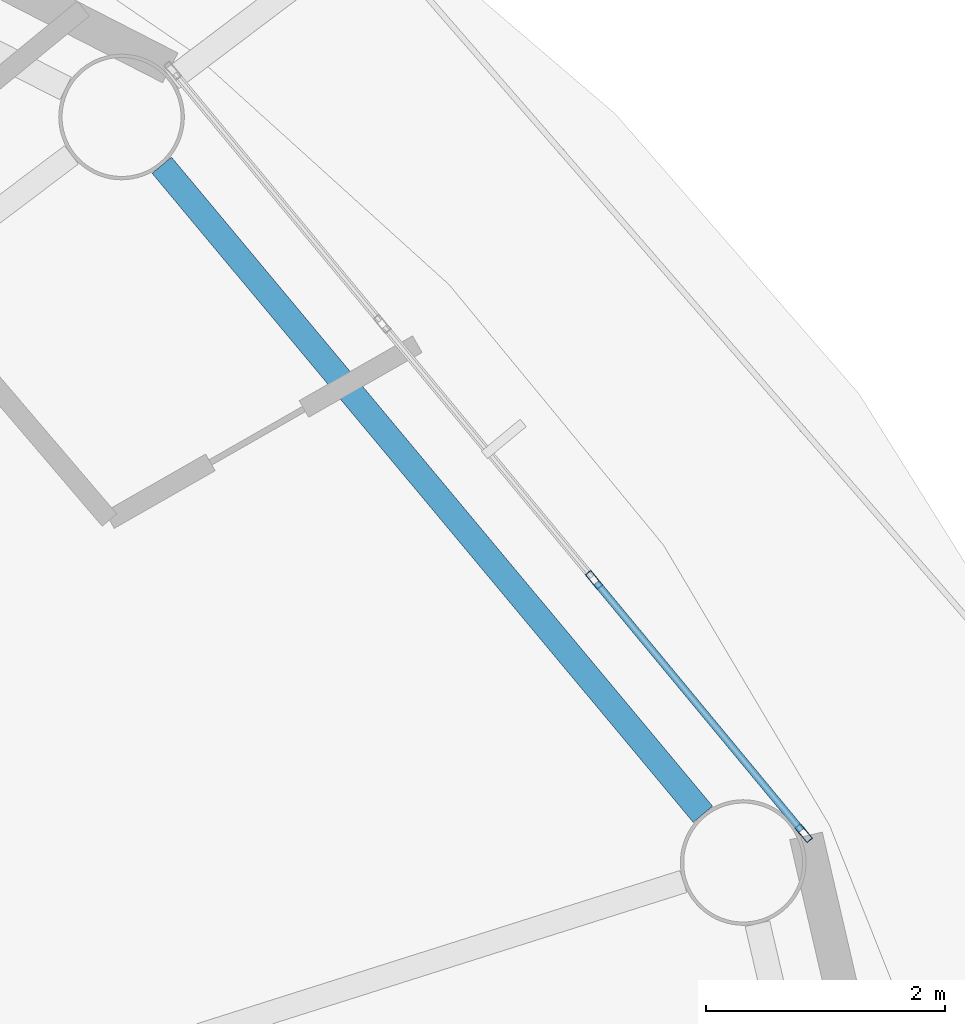
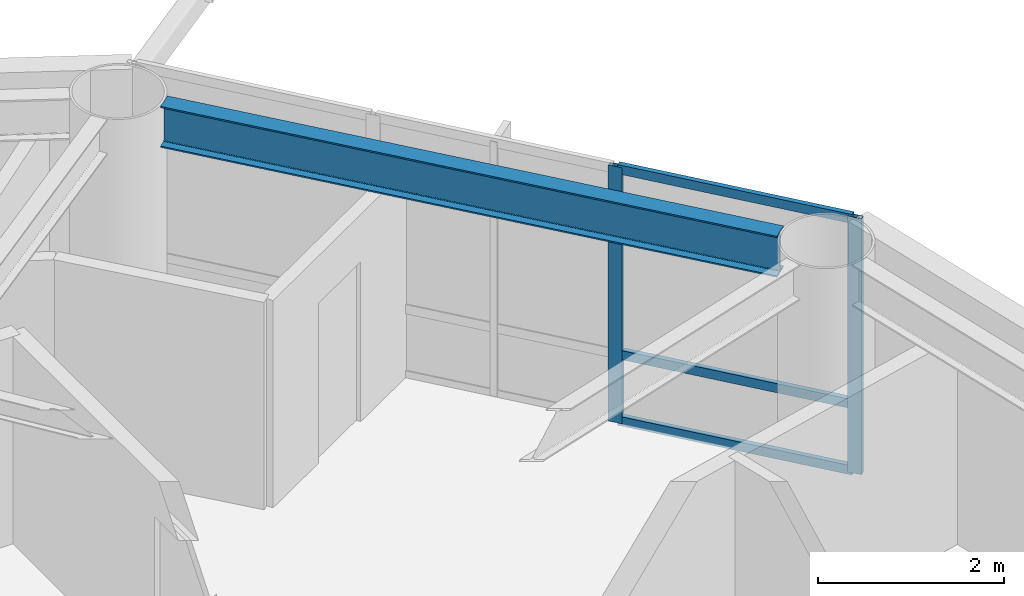
# One storey, part 7 of 23: 5 members, 1 beam, 1 element without a shape of its own.
"""IFC4 building model written with IfcOpenShell, lengths in metres."""

import ifcopenshell
import ifcopenshell.guid

model = None  # the IFC model being written
_history = None  # IfcOwnerHistory: only IFC2X3 demands one
_inside = {}  # id of a spatial element -> (the spatial element, [elements in it])
_under = {}  # id of a project, library or spatial element -> (it, [spatial elements below it])
_declared = {}  # id of a project -> (the project, [libraries it declares])
_typed = {}  # id of a type object -> (the type object, [elements of that type])
_made_of = {}  # id of a material, layer set ... -> (it, [elements and type objects made of it])


def new_model(schema):
    """Start an empty IFC model of exactly this schema.

    Asked for "IFC4X3", IfcOpenShell would pick the latest addendum, in which some entities
    have other attributes; the version numbers below select the first issue.
    IFC2X3 requires an IfcOwnerHistory on every rooted entity: one is made here for all.
    """
    global model, _history
    if schema == "IFC4X3":
        model = ifcopenshell.file(schema_version=(4, 3, 0, 0))
    else:
        model = ifcopenshell.file(schema=schema)
    _inside.clear()
    _under.clear()
    _declared.clear()
    _typed.clear()
    _made_of.clear()
    _history = None
    if model.schema == "IFC2X3":
        org = make("IfcOrganization", Name="unknown")
        user = make(
            "IfcPersonAndOrganization",
            ThePerson=make("IfcPerson", FamilyName="unknown"),
            TheOrganization=org,
        )
        app = make(
            "IfcApplication",
            ApplicationDeveloper=org,
            Version="unknown",
            ApplicationFullName="unknown",
            ApplicationIdentifier="unknown",
        )
        _history = make(
            "IfcOwnerHistory",
            OwningUser=user,
            OwningApplication=app,
            ChangeAction="ADDED",
            CreationDate=0,
        )
    return model


def make(cls, **values):
    """One entity of the class cls with the attributes given. An attribute that is None is left unset."""
    return model.create_entity(
        cls, **{name: value for name, value in values.items() if value is not None}
    )


def rooted(cls, **values):
    """An entity with a GlobalId (a new one), such as an element, a storey or a relation."""
    return make(cls, GlobalId=ifcopenshell.guid.new(), OwnerHistory=_history, **values)


def si_unit(unit_type, name, prefix=None):
    """IfcSIUnit, for example si_unit("LENGTHUNIT", "METRE", prefix="MILLI")."""
    return make("IfcSIUnit", UnitType=unit_type, Prefix=prefix, Name=name)


def assignment(units):
    """IfcUnitAssignment: the units of a project."""
    return None if units is None else make("IfcUnitAssignment", Units=units)


def point(xyz):
    """IfcCartesianPoint."""
    return None if xyz is None else make("IfcCartesianPoint", Coordinates=xyz)


def direction(xyz):
    """IfcDirection."""
    return None if xyz is None else make("IfcDirection", DirectionRatios=xyz)


def frame(location, z_axis=None, x_axis=None):
    """IfcAxis2Placement3D, a coordinate frame: its origin and axes. An axis left out is left unset."""
    return make(
        "IfcAxis2Placement3D",
        Location=point(location),
        Axis=direction(z_axis),
        RefDirection=direction(x_axis),
    )


def frame_2d(location, x_axis=None):
    """IfcAxis2Placement2D, a coordinate frame in the plane: its origin and x axis."""
    return make(
        "IfcAxis2Placement2D", Location=point(location), RefDirection=direction(x_axis)
    )


def origin():
    """The frame at (0, 0, 0) with its axes left unset."""
    return frame((0.0, 0.0, 0.0))


def origin_2d():
    """The frame at (0, 0) in the plane with its x axis left unset."""
    return frame_2d((0.0, 0.0))


def place(relative_to, where):
    """IfcLocalPlacement: puts the frame where relative to a parent placement (None: the world)."""
    return make(
        "IfcLocalPlacement", PlacementRelTo=relative_to, RelativePlacement=where
    )


def context(
    kind, dimensions, precision=None, world=None, true_north=None, identifier=None
):
    """IfcGeometricRepresentationContext, for example the 3D "Model" context."""
    return make(
        "IfcGeometricRepresentationContext",
        ContextIdentifier=identifier,
        ContextType=kind,
        CoordinateSpaceDimension=dimensions,
        Precision=precision,
        WorldCoordinateSystem=world,
        TrueNorth=true_north,
    )


def subcontext(parent, identifier, kind, view, scale=None):
    """IfcGeometricRepresentationSubContext, for example "Body" below "Model"."""
    return make(
        "IfcGeometricRepresentationSubContext",
        ContextIdentifier=identifier,
        ContextType=kind,
        ParentContext=parent,
        TargetScale=scale,
        TargetView=view,
    )


def project(units=None, contexts=None):
    """IfcProject with its units and contexts."""
    return rooted(
        "IfcProject",
        Name="project",
        RepresentationContexts=contexts,
        UnitsInContext=assignment(units),
    )


def spatial(cls, under=None, at=None, **own):
    """A site, building, storey or space (cls), placed at a placement, below another one or the project."""
    s = rooted(cls, ObjectPlacement=at, **own)
    if under is not None:
        _under.setdefault(under.id(), (under, []))[1].append(s)
    return s


def profile(cls, at=None, kind="AREA", **sizes):
    """A parametric profile (cls). Its sizes go by their IFC names, for example OverallWidth=200.0."""
    return make(cls, ProfileType=kind, Position=at, **sizes)


def hollow_rectangle(**sizes):
    """IfcRectangleHollowProfileDef."""
    return profile("IfcRectangleHollowProfileDef", **sizes)


def i_section(**sizes):
    """IfcIShapeProfileDef."""
    return profile("IfcIShapeProfileDef", **sizes)


def extrude(swept, where, along, depth):
    """IfcExtrudedAreaSolid: the profile swept, set in the frame where, extruded along a direction by depth."""
    return make(
        "IfcExtrudedAreaSolid",
        SweptArea=swept,
        Position=where,
        ExtrudedDirection=direction(along),
        Depth=depth,
    )


def shape(context_of_items, identifier, shape_type, items):
    """IfcShapeRepresentation: the items that make up one representation, for example the "Body"."""
    return make(
        "IfcShapeRepresentation",
        ContextOfItems=context_of_items,
        RepresentationIdentifier=identifier,
        RepresentationType=shape_type,
        Items=items,
    )


def material(Name=None, Category=None):
    """IfcMaterial."""
    return make("IfcMaterial", Name=Name, Category=Category)


def layer(
    of_material, thickness, ventilated=None, Name=None, Category=None, Priority=None
):
    """IfcMaterialLayer: one layer of a wall or slab, of a material (None: an air gap)."""
    return make(
        "IfcMaterialLayer",
        Material=of_material,
        LayerThickness=thickness,
        IsVentilated=ventilated,
        Name=Name,
        Category=Category,
        Priority=Priority,
    )


def layer_set(layers, Name=None):
    """IfcMaterialLayerSet."""
    return make("IfcMaterialLayerSet", MaterialLayers=layers, LayerSetName=Name)


def material_profile(
    of_material, cross_section, Name=None, Category=None, Priority=None
):
    """IfcMaterialProfile: a cross section and its material."""
    return make(
        "IfcMaterialProfile",
        Name=Name,
        Material=of_material,
        Profile=cross_section,
        Priority=Priority,
        Category=Category,
    )


def profile_set(profiles, Name=None, composite=None):
    """IfcMaterialProfileSet."""
    return make(
        "IfcMaterialProfileSet",
        Name=Name,
        MaterialProfiles=profiles,
        CompositeProfile=composite,
    )


def made_of(thing, what):
    """Note that an element or type object is made of a material, layer set ...; save() writes the relation."""
    if what is not None:
        _made_of.setdefault(what.id(), (what, []))[1].append(thing)
    return thing


def type_object(cls, material=None, **own):
    """A type object (cls), such as IfcWallType, which elements share."""
    return made_of(rooted(cls, **own), material)


def element(
    cls,
    number,
    at=None,
    inside=None,
    cuts=None,
    type_object=None,
    material=None,
    context=None,
    identifier="Body",
    shape_type=None,
    held_by="IfcProductDefinitionShape",
    body=None,
    shapes=None,
    **own,
):
    """One element of the class cls, such as IfcWall. Its Tag is "e" and its number.

    at: its placement. inside: the storey or other place that contains it. cuts: it is an
    opening in that element (IfcRelVoidsElement). A single representation is given by context,
    identifier, shape_type and body (its items); several are given by shapes. held_by: the class
    of the entity that holds the representations. save() writes the other relations.
    """
    e = rooted(cls, Tag="e%d" % number, ObjectPlacement=at, **own)
    if body is not None:
        shapes = [shape(context, identifier, shape_type, body)]
    if shapes is not None:
        e.Representation = make(held_by, Representations=shapes)
    if inside is not None:
        _inside.setdefault(inside.id(), (inside, []))[1].append(e)
    if cuts is not None:
        rooted(
            "IfcRelVoidsElement", RelatingBuildingElement=cuts, RelatedOpeningElement=e
        )
    if type_object is not None:
        _typed.setdefault(type_object.id(), (type_object, []))[1].append(e)
    return made_of(e, material)


def aggregate(whole, parts):
    """IfcRelAggregates: a whole, such as a stair, and the parts it consists of."""
    return rooted("IfcRelAggregates", RelatingObject=whole, RelatedObjects=parts)


def save(model, path):
    """Write the relations noted so far, then the file.

    IfcRelAggregates (storeys below a building ...), IfcRelContainedInSpatialStructure (elements
    in a storey), IfcRelDefinesByType, IfcRelAssociatesMaterial and IfcRelDeclares: one each for
    every whole, place, type object, material and project.
    """
    for whole, parts in _under.values():
        aggregate(whole, parts)
    for where, things in _inside.values():
        rooted(
            "IfcRelContainedInSpatialStructure",
            RelatedElements=things,
            RelatingStructure=where,
        )
    for kind, things in _typed.values():
        rooted("IfcRelDefinesByType", RelatedObjects=things, RelatingType=kind)
    for what, things in _made_of.values():
        rooted("IfcRelAssociatesMaterial", RelatedObjects=things, RelatingMaterial=what)
    for by, libraries in _declared.values():
        rooted("IfcRelDeclares", RelatingContext=by, RelatedDefinitions=libraries)
    model.write(path)


model = new_model("IFC4")

# Units and contexts
model_context = context("Model", 3, precision=1e-05, world=origin(), true_north=direction((0.0, 1.0)))
body_context = subcontext(model_context, "Body", "Model", "MODEL_VIEW")
ifc_project = project(units=[si_unit("LENGTHUNIT", "METRE"), si_unit("AREAUNIT", "SQUARE_METRE"), si_unit("VOLUMEUNIT", "CUBIC_METRE"), si_unit("PLANEANGLEUNIT", "RADIAN"), si_unit("MASSUNIT", "GRAM", prefix="KILO")], contexts=[model_context])

# Site, building, storey
site_placement = place(None, origin())
site = spatial("IfcSite", under=ifc_project, at=site_placement, CompositionType="ELEMENT")
building_placement = place(site_placement, origin())
building = spatial("IfcBuilding", under=site, at=building_placement, Name="Sarneth Arch Tower", CompositionType="ELEMENT")
storey_placement = place(building_placement, frame((0.0, 0.0, 242.39990234375)))
storey = spatial("IfcBuildingStorey", under=building, at=storey_placement, Name="L62", CompositionType="ELEMENT", Elevation=242.39990234375)

# Beam
ifc_material_1 = material(Name="Steel S355", Category="steel")
ifc_material_profile_1 = material_profile(ifc_material_1, i_section(OverallWidth=0.2109375, OverallDepth=0.5390625, WebThickness=0.01171875, FlangeThickness=0.018798828125, FilletRadius=0.01806640625, at=origin_2d()), Name="W530x109")
ifc_profile_set_1 = profile_set([ifc_material_profile_1], Name="Steel S355")
beam_type = type_object("IfcBeamType", Name="BM-RAD-530B", PredefinedType="BEAM", material=ifc_profile_set_1)
beam_placement = place(storey_placement, frame((70.83251953125, 49.750732421875, 3.090576171875), z_axis=(-0.640364654985, 0.76807103099, 0.0), x_axis=(-0.76807103099, -0.640364654985, 0.0)))
element("IfcBeam", 1, at=beam_placement, inside=storey, type_object=beam_type, Name="L62 Perimeter spandrel beam 02", PredefinedType="BEAM", context=body_context, shape_type="SweptSolid", body=[
    extrude(i_section(OverallWidth=0.2109375, OverallDepth=0.5390625, WebThickness=0.01171875, FlangeThickness=0.018798828125, FilletRadius=0.01806640625, at=origin_2d()), origin(), (0.0, 0.0, 1.0), 7.06005859375),
])

# Curtain wall, members
ifc_material_2 = material(Name="Anodised aluminium Type AA25 and solar-control low-e laminated IGU", Category="aluminium")
ifc_layer = layer(ifc_material_2, 0.179931640625)
ifc_layer_set = layer_set([ifc_layer], Name="Anodised aluminium Type AA25 and solar-control low-e laminated IGU")
curtain_wall_type = type_object("IfcCurtainWallType", Name="CW-RES-HIGH", PredefinedType="NOTDEFINED", material=ifc_layer_set)
curtain_wall_placement = place(storey_placement, origin())
curtain_wall = element("IfcCurtainWall", 2, at=curtain_wall_placement, inside=storey, type_object=curtain_wall_type, Name="L62 Unitised curtain wall facet 02", PredefinedType="NOTDEFINED")
ifc_material_3 = material(Name="Anodised Aluminium 6063-T6", Category="aluminium")
ifc_material_profile_2 = material_profile(ifc_material_3, hollow_rectangle(XDim=0.06005859375, YDim=0.159912109375, WallThickness=0.00390625, at=origin_2d()), Name="AL-MULL-160x60x4")
ifc_profile_set_2 = profile_set([ifc_material_profile_2], Name="Anodised Aluminium 6063-T6")
member_type_1 = type_object("IfcMemberType", Name="CW-MULLION", PredefinedType="MULLION", material=ifc_profile_set_2)
member_1_placement = place(storey_placement, frame((71.674560546875, 49.592529296875, 0.0), z_axis=(0.0, 0.0, 1.0), x_axis=(-0.770359245933, -0.637610094184, 0.0)))
member_1 = element("IfcMember", 3, at=member_1_placement, type_object=member_type_1, Name="CW-SYS-6 mullion 1", PredefinedType="MULLION", context=body_context, shape_type="SweptSolid", body=[
    extrude(hollow_rectangle(XDim=0.06005859375, YDim=0.159912109375, WallThickness=0.00390625, at=origin_2d()), origin(), (0.0, 0.0, 1.0), 3.360107421875),
])
member_2_placement = place(storey_placement, frame((69.92333984375, 51.70849609375, 0.0), z_axis=(0.0, 0.0, 1.0), x_axis=(-0.770359245933, -0.637610094184, 0.0)))
member_2 = element("IfcMember", 4, at=member_2_placement, type_object=member_type_1, Name="CW-SYS-6 mullion 2", PredefinedType="MULLION", context=body_context, shape_type="SweptSolid", body=[
    extrude(hollow_rectangle(XDim=0.06005859375, YDim=0.159912109375, WallThickness=0.00390625, at=origin_2d()), origin(), (0.0, 0.0, 1.0), 3.360107421875),
])
ifc_material_4 = material(Name="Anodised Aluminium 6063-T6", Category="aluminium")
ifc_material_profile_3 = material_profile(ifc_material_4, hollow_rectangle(XDim=0.06005859375, YDim=0.1201171875, WallThickness=0.00390625, at=origin_2d()), Name="AL-TRAN-120x60x4")
ifc_profile_set_3 = profile_set([ifc_material_profile_3], Name="Anodised Aluminium 6063-T6")
member_type_2 = type_object("IfcMemberType", Name="CW-TRANSOM", PredefinedType="USERDEFINED", material=ifc_profile_set_3)
member_3_placement = place(storey_placement, frame((71.655517578125, 49.61572265625, 0.030029296875), z_axis=(-0.637651400067, 0.770325056059, 0.0), x_axis=(-0.770325056059, -0.637651400067, 0.0)))
member_3 = element("IfcMember", 5, at=member_3_placement, type_object=member_type_2, Name="CW-SYS-6 transom 1.1", ObjectType="TRANSOM", PredefinedType="USERDEFINED", context=body_context, shape_type="SweptSolid", body=[
    extrude(hollow_rectangle(XDim=0.06005859375, YDim=0.1201171875, WallThickness=0.00390625, at=origin_2d()), origin(), (0.0, 0.0, 1.0), 2.6865234375),
])
member_4_placement = place(storey_placement, frame((71.655517578125, 49.61572265625, 0.900146484375), z_axis=(-0.637651400067, 0.770325056059, 0.0), x_axis=(-0.770325056059, -0.637651400067, 0.0)))
member_4 = element("IfcMember", 6, at=member_4_placement, type_object=member_type_2, Name="CW-SYS-6 transom 1.2", ObjectType="TRANSOM", PredefinedType="USERDEFINED", context=body_context, shape_type="SweptSolid", body=[
    extrude(hollow_rectangle(XDim=0.06005859375, YDim=0.1201171875, WallThickness=0.00390625, at=origin_2d()), origin(), (0.0, 0.0, 1.0), 2.6865234375),
])
member_5_placement = place(storey_placement, frame((71.655517578125, 49.61572265625, 3.330078125), z_axis=(-0.637651400067, 0.770325056059, 0.0), x_axis=(-0.770325056059, -0.637651400067, 0.0)))
member_5 = element("IfcMember", 7, at=member_5_placement, type_object=member_type_2, Name="CW-SYS-6 transom 1.3", ObjectType="TRANSOM", PredefinedType="USERDEFINED", context=body_context, shape_type="SweptSolid", body=[
    extrude(hollow_rectangle(XDim=0.06005859375, YDim=0.1201171875, WallThickness=0.00390625, at=origin_2d()), origin(), (0.0, 0.0, 1.0), 2.6865234375),
])
aggregate(curtain_wall, [member_1, member_2, member_3, member_4, member_5])

save(model, "model.ifc")
